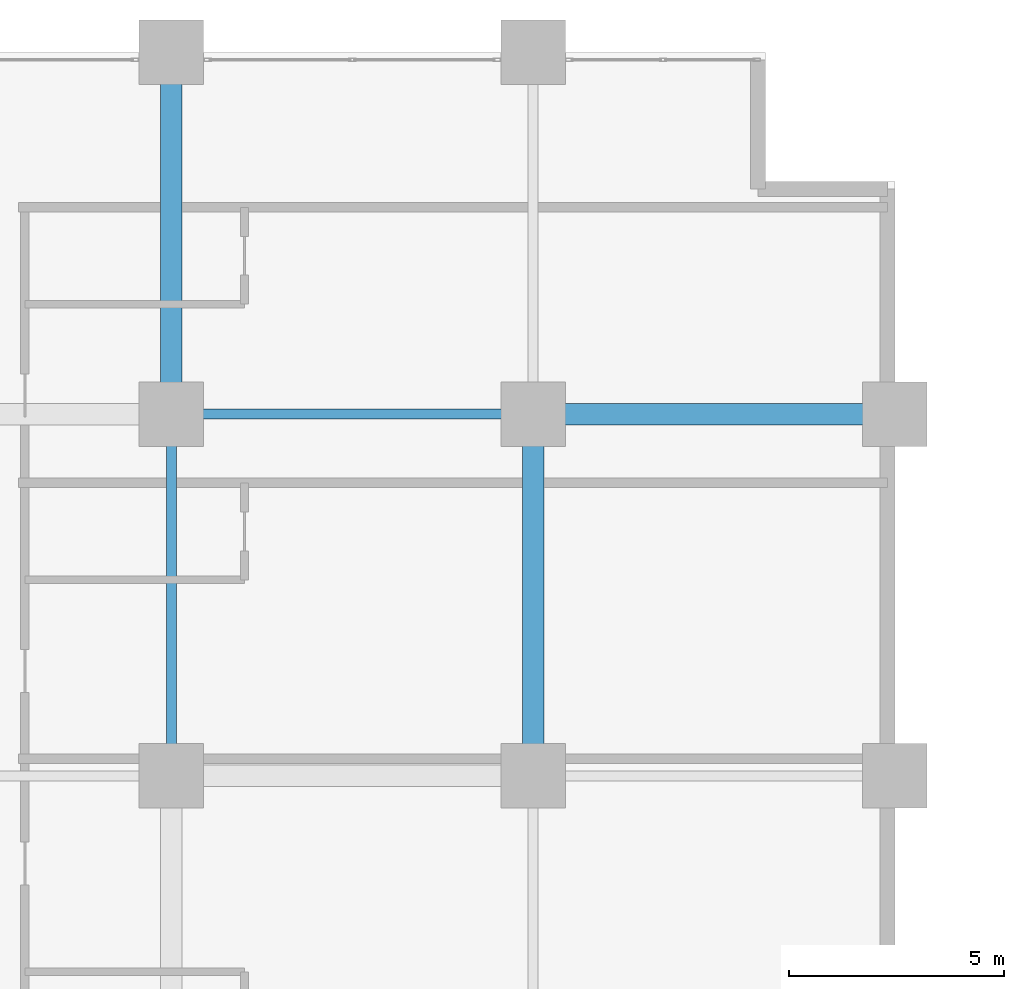
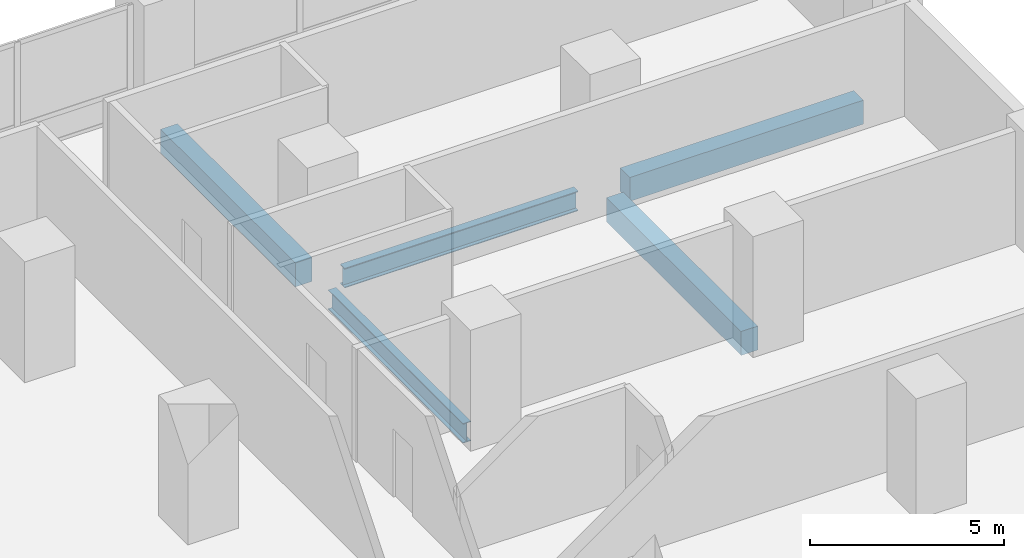
# One storey, part 4 of 22: 5 beams.
"""IFC4 building model written with IfcOpenShell, lengths in metres."""

from ifc_helpers import new_model, si_unit, direction, frame, origin, origin_2d, place, context, subcontext, project, spatial, rectangle, i_section, extrude, material, material_profile, profile_set, type_object, element, save


model = new_model("IFC4")

# Units and contexts
model_context = context("Model", 3, precision=1e-05, world=origin(), true_north=direction((0.0, 1.0)))
body_context = subcontext(model_context, "Body", "Model", "MODEL_VIEW")
ifc_project = project(units=[si_unit("LENGTHUNIT", "METRE"), si_unit("AREAUNIT", "SQUARE_METRE"), si_unit("VOLUMEUNIT", "CUBIC_METRE"), si_unit("PLANEANGLEUNIT", "RADIAN"), si_unit("MASSUNIT", "GRAM", prefix="KILO")], contexts=[model_context])

# Site, building, storey
site_placement = place(None, origin())
site = spatial("IfcSite", under=ifc_project, at=site_placement, CompositionType="ELEMENT")
building_placement = place(site_placement, origin())
building = spatial("IfcBuilding", under=site, at=building_placement, Name="Koriwani Terraces Tower", CompositionType="ELEMENT")
storey_placement = place(building_placement, frame((0.0, 0.0, 62.39990234375)))
storey = spatial("IfcBuildingStorey", under=building, at=storey_placement, Name="L14", CompositionType="ELEMENT", Elevation=62.39990234375)

# Beams
ifc_material_1 = material(Name="Concrete C50/60", Category="concrete")
ifc_material_profile_1 = material_profile(ifc_material_1, rectangle(XDim=0.5, YDim=0.75, at=origin_2d()), Name="Concrete C50/60", Category="LoadBearing")
ifc_profile_set_1 = profile_set([ifc_material_profile_1], Name="Concrete C50/60")
beam_type_1 = type_object("IfcBeamType", Name="BEAM_RC_GRID_500X750", PredefinedType="BEAM", material=ifc_profile_set_1)
beam_placement = place(storey_placement, frame((25.929931640625, 84.0, -0.625), z_axis=(1.0, 0.0, 0.0), x_axis=(0.0, 1.0, 0.0)))
element("IfcBeam", 1, at=beam_placement, inside=storey, type_object=beam_type_1, Name="L14 Grid Beam K (25.2-33.6m)", PredefinedType="BEAM", context=body_context, shape_type="SweptSolid", body=[
    extrude(rectangle(XDim=0.5, YDim=0.75, at=origin_2d()), origin(), (0.0, 0.0, 1.0), 6.940185546875),
])
for number, where, z_axis, x_axis, name in (
    (2, (16.800048828125, 84.72998046875, -0.625), (0.0, 1.0, 0.0), (-1.0, 0.0, 0.0), "L14 Grid Beam 3 (84.0-92.4m)"),
    (3, (25.199951171875, 76.330078125, -0.625), (0.0, 1.0, 0.0), (-1.0, 0.0, 0.0), "L14 Grid Beam 4 (75.6-84.0m)"),
):
    element("IfcBeam", number, at=place(storey_placement, frame(where, z_axis=z_axis, x_axis=x_axis)), inside=storey, type_object=beam_type_1, Name=name, PredefinedType="BEAM", context=body_context, shape_type="SweptSolid", body=[
        extrude(rectangle(XDim=0.5, YDim=0.75, at=origin_2d()), origin(), (0.0, 0.0, 1.0), 6.93994140625),
    ])
ifc_material_2 = material(Name="Steel ASTM A572 Grade 50", Category="steel")
ifc_material_profile_2 = material_profile(ifc_material_2, i_section(OverallWidth=0.23095703125, OverallDepth=0.616943359375, WebThickness=0.015380859375, FlangeThickness=0.0244140625, at=origin_2d()), Name="Steel ASTM A572 Grade 50", Category="LoadBearing")
ifc_profile_set_2 = profile_set([ifc_material_profile_2], Name="Steel ASTM A572 Grade 50")
beam_type_2 = type_object("IfcBeamType", Name="STEEL_BEAM_W610X195", PredefinedType="BEAM", material=ifc_profile_set_2)
for number, where, z_axis, x_axis, name in (
    (4, (17.530029296875, 84.0, -0.558349609375), (1.0, 0.0, 0.0), (0.0, 1.0, 0.0), "L14 Grid Beam K (16.8-25.2m)"),
    (5, (16.800048828125, 76.330078125, -0.558349609375), (0.0, 1.0, 0.0), (-1.0, 0.0, 0.0), "L14 Grid Beam 3 (75.6-84.0m)"),
):
    element("IfcBeam", number, at=place(storey_placement, frame(where, z_axis=z_axis, x_axis=x_axis)), inside=storey, type_object=beam_type_2, Name=name, PredefinedType="BEAM", context=body_context, shape_type="SweptSolid", body=[
        extrude(i_section(OverallWidth=0.23095703125, OverallDepth=0.616943359375, WebThickness=0.015380859375, FlangeThickness=0.0244140625, at=origin_2d()), origin(), (0.0, 0.0, 1.0), 6.93994140625),
    ])

save(model, "model.ifc")
